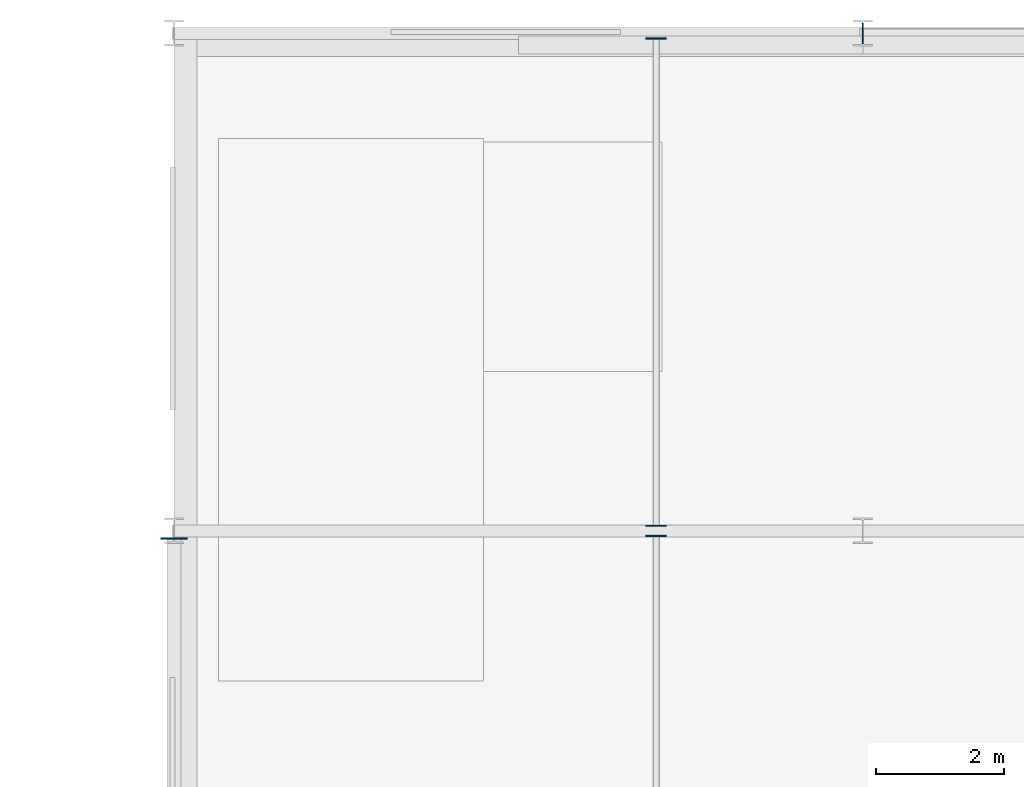
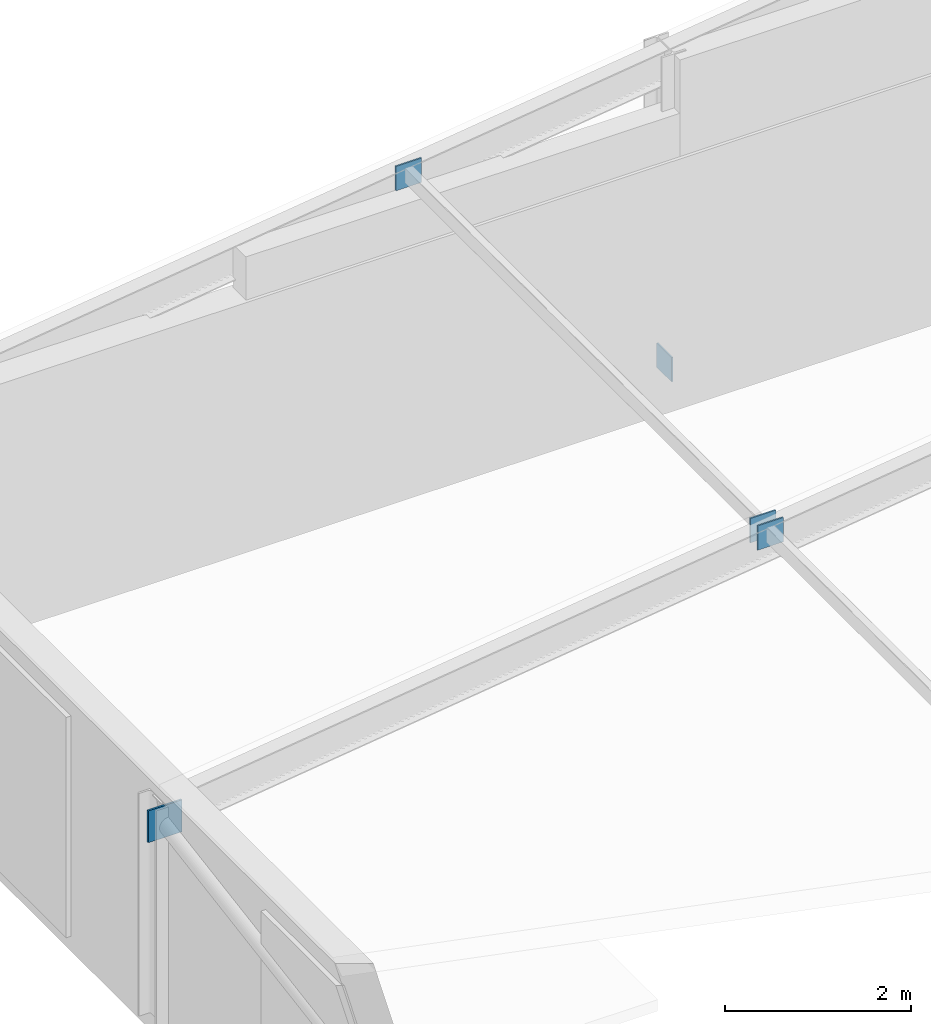
# One storey, part 18 of 27: 5 plates.
"""IFC4 building model written with IfcOpenShell, lengths in metres."""

import ifcopenshell
import ifcopenshell.guid

model = None  # the IFC model being written
_history = None  # IfcOwnerHistory: only IFC2X3 demands one
_inside = {}  # id of a spatial element -> (the spatial element, [elements in it])
_under = {}  # id of a project, library or spatial element -> (it, [spatial elements below it])
_declared = {}  # id of a project -> (the project, [libraries it declares])
_typed = {}  # id of a type object -> (the type object, [elements of that type])
_made_of = {}  # id of a material, layer set ... -> (it, [elements and type objects made of it])


def new_model(schema):
    """Start an empty IFC model of exactly this schema.

    Asked for "IFC4X3", IfcOpenShell would pick the latest addendum, in which some entities
    have other attributes; the version numbers below select the first issue.
    IFC2X3 requires an IfcOwnerHistory on every rooted entity: one is made here for all.
    """
    global model, _history
    if schema == "IFC4X3":
        model = ifcopenshell.file(schema_version=(4, 3, 0, 0))
    else:
        model = ifcopenshell.file(schema=schema)
    _inside.clear()
    _under.clear()
    _declared.clear()
    _typed.clear()
    _made_of.clear()
    _history = None
    if model.schema == "IFC2X3":
        org = make("IfcOrganization", Name="unknown")
        user = make(
            "IfcPersonAndOrganization",
            ThePerson=make("IfcPerson", FamilyName="unknown"),
            TheOrganization=org,
        )
        app = make(
            "IfcApplication",
            ApplicationDeveloper=org,
            Version="unknown",
            ApplicationFullName="unknown",
            ApplicationIdentifier="unknown",
        )
        _history = make(
            "IfcOwnerHistory",
            OwningUser=user,
            OwningApplication=app,
            ChangeAction="ADDED",
            CreationDate=0,
        )
    return model


def make(cls, **values):
    """One entity of the class cls with the attributes given. An attribute that is None is left unset."""
    return model.create_entity(
        cls, **{name: value for name, value in values.items() if value is not None}
    )


def rooted(cls, **values):
    """An entity with a GlobalId (a new one), such as an element, a storey or a relation."""
    return make(cls, GlobalId=ifcopenshell.guid.new(), OwnerHistory=_history, **values)


def si_unit(unit_type, name, prefix=None):
    """IfcSIUnit, for example si_unit("LENGTHUNIT", "METRE", prefix="MILLI")."""
    return make("IfcSIUnit", UnitType=unit_type, Prefix=prefix, Name=name)


def assignment(units):
    """IfcUnitAssignment: the units of a project."""
    return None if units is None else make("IfcUnitAssignment", Units=units)


def point(xyz):
    """IfcCartesianPoint."""
    return None if xyz is None else make("IfcCartesianPoint", Coordinates=xyz)


def direction(xyz):
    """IfcDirection."""
    return None if xyz is None else make("IfcDirection", DirectionRatios=xyz)


def frame(location, z_axis=None, x_axis=None):
    """IfcAxis2Placement3D, a coordinate frame: its origin and axes. An axis left out is left unset."""
    return make(
        "IfcAxis2Placement3D",
        Location=point(location),
        Axis=direction(z_axis),
        RefDirection=direction(x_axis),
    )


def frame_2d(location, x_axis=None):
    """IfcAxis2Placement2D, a coordinate frame in the plane: its origin and x axis."""
    return make(
        "IfcAxis2Placement2D", Location=point(location), RefDirection=direction(x_axis)
    )


def origin():
    """The frame at (0, 0, 0) with its axes left unset."""
    return frame((0.0, 0.0, 0.0))


def origin_2d():
    """The frame at (0, 0) in the plane with its x axis left unset."""
    return frame_2d((0.0, 0.0))


def place(relative_to, where):
    """IfcLocalPlacement: puts the frame where relative to a parent placement (None: the world)."""
    return make(
        "IfcLocalPlacement", PlacementRelTo=relative_to, RelativePlacement=where
    )


def context(
    kind, dimensions, precision=None, world=None, true_north=None, identifier=None
):
    """IfcGeometricRepresentationContext, for example the 3D "Model" context."""
    return make(
        "IfcGeometricRepresentationContext",
        ContextIdentifier=identifier,
        ContextType=kind,
        CoordinateSpaceDimension=dimensions,
        Precision=precision,
        WorldCoordinateSystem=world,
        TrueNorth=true_north,
    )


def subcontext(parent, identifier, kind, view, scale=None):
    """IfcGeometricRepresentationSubContext, for example "Body" below "Model"."""
    return make(
        "IfcGeometricRepresentationSubContext",
        ContextIdentifier=identifier,
        ContextType=kind,
        ParentContext=parent,
        TargetScale=scale,
        TargetView=view,
    )


def project(units=None, contexts=None):
    """IfcProject with its units and contexts."""
    return rooted(
        "IfcProject",
        Name="project",
        RepresentationContexts=contexts,
        UnitsInContext=assignment(units),
    )


def spatial(cls, under=None, at=None, **own):
    """A site, building, storey or space (cls), placed at a placement, below another one or the project."""
    s = rooted(cls, ObjectPlacement=at, **own)
    if under is not None:
        _under.setdefault(under.id(), (under, []))[1].append(s)
    return s


def profile(cls, at=None, kind="AREA", **sizes):
    """A parametric profile (cls). Its sizes go by their IFC names, for example OverallWidth=200.0."""
    return make(cls, ProfileType=kind, Position=at, **sizes)


def rectangle(**sizes):
    """IfcRectangleProfileDef."""
    return profile("IfcRectangleProfileDef", **sizes)


def extrude(swept, where, along, depth):
    """IfcExtrudedAreaSolid: the profile swept, set in the frame where, extruded along a direction by depth."""
    return make(
        "IfcExtrudedAreaSolid",
        SweptArea=swept,
        Position=where,
        ExtrudedDirection=direction(along),
        Depth=depth,
    )


def shape(context_of_items, identifier, shape_type, items):
    """IfcShapeRepresentation: the items that make up one representation, for example the "Body"."""
    return make(
        "IfcShapeRepresentation",
        ContextOfItems=context_of_items,
        RepresentationIdentifier=identifier,
        RepresentationType=shape_type,
        Items=items,
    )


def material(Name=None, Category=None):
    """IfcMaterial."""
    return make("IfcMaterial", Name=Name, Category=Category)


def layer(
    of_material, thickness, ventilated=None, Name=None, Category=None, Priority=None
):
    """IfcMaterialLayer: one layer of a wall or slab, of a material (None: an air gap)."""
    return make(
        "IfcMaterialLayer",
        Material=of_material,
        LayerThickness=thickness,
        IsVentilated=ventilated,
        Name=Name,
        Category=Category,
        Priority=Priority,
    )


def layer_set(layers, Name=None):
    """IfcMaterialLayerSet."""
    return make("IfcMaterialLayerSet", MaterialLayers=layers, LayerSetName=Name)


def made_of(thing, what):
    """Note that an element or type object is made of a material, layer set ...; save() writes the relation."""
    if what is not None:
        _made_of.setdefault(what.id(), (what, []))[1].append(thing)
    return thing


def type_object(cls, material=None, **own):
    """A type object (cls), such as IfcWallType, which elements share."""
    return made_of(rooted(cls, **own), material)


def element(
    cls,
    number,
    at=None,
    inside=None,
    cuts=None,
    type_object=None,
    material=None,
    context=None,
    identifier="Body",
    shape_type=None,
    held_by="IfcProductDefinitionShape",
    body=None,
    shapes=None,
    **own,
):
    """One element of the class cls, such as IfcWall. Its Tag is "e" and its number.

    at: its placement. inside: the storey or other place that contains it. cuts: it is an
    opening in that element (IfcRelVoidsElement). A single representation is given by context,
    identifier, shape_type and body (its items); several are given by shapes. held_by: the class
    of the entity that holds the representations. save() writes the other relations.
    """
    e = rooted(cls, Tag="e%d" % number, ObjectPlacement=at, **own)
    if body is not None:
        shapes = [shape(context, identifier, shape_type, body)]
    if shapes is not None:
        e.Representation = make(held_by, Representations=shapes)
    if inside is not None:
        _inside.setdefault(inside.id(), (inside, []))[1].append(e)
    if cuts is not None:
        rooted(
            "IfcRelVoidsElement", RelatingBuildingElement=cuts, RelatedOpeningElement=e
        )
    if type_object is not None:
        _typed.setdefault(type_object.id(), (type_object, []))[1].append(e)
    return made_of(e, material)


def aggregate(whole, parts):
    """IfcRelAggregates: a whole, such as a stair, and the parts it consists of."""
    return rooted("IfcRelAggregates", RelatingObject=whole, RelatedObjects=parts)


def save(model, path):
    """Write the relations noted so far, then the file.

    IfcRelAggregates (storeys below a building ...), IfcRelContainedInSpatialStructure (elements
    in a storey), IfcRelDefinesByType, IfcRelAssociatesMaterial and IfcRelDeclares: one each for
    every whole, place, type object, material and project.
    """
    for whole, parts in _under.values():
        aggregate(whole, parts)
    for where, things in _inside.values():
        rooted(
            "IfcRelContainedInSpatialStructure",
            RelatedElements=things,
            RelatingStructure=where,
        )
    for kind, things in _typed.values():
        rooted("IfcRelDefinesByType", RelatedObjects=things, RelatingType=kind)
    for what, things in _made_of.values():
        rooted("IfcRelAssociatesMaterial", RelatedObjects=things, RelatingMaterial=what)
    for by, libraries in _declared.values():
        rooted("IfcRelDeclares", RelatingContext=by, RelatedDefinitions=libraries)
    model.write(path)


model = new_model("IFC4")

# Units and contexts
model_context = context("Model", 3, precision=1e-05, world=origin(), true_north=direction((0.0, 1.0)))
body_context = subcontext(model_context, "Body", "Model", "MODEL_VIEW")
ifc_project = project(units=[si_unit("LENGTHUNIT", "METRE"), si_unit("AREAUNIT", "SQUARE_METRE"), si_unit("VOLUMEUNIT", "CUBIC_METRE"), si_unit("PLANEANGLEUNIT", "RADIAN"), si_unit("MASSUNIT", "GRAM", prefix="KILO")], contexts=[model_context])

# Site, building, storey
site_placement = place(None, origin())
site = spatial("IfcSite", under=ifc_project, at=site_placement, CompositionType="ELEMENT")
building_placement = place(site_placement, origin())
building = spatial("IfcBuilding", under=site, at=building_placement, Name="Tazoul Stagehouse", CompositionType="ELEMENT")
storey_placement = place(building_placement, frame((0.0, 0.0, 24.89990234375)))
storey = spatial("IfcBuildingStorey", under=building, at=storey_placement, Name="RF", CompositionType="ELEMENT", Elevation=24.89990234375)

# Plates
ifc_material = material(Name="Steel S355", Category="steel")
ifc_layer_1 = layer(ifc_material, 0.02001953125, Name="Steel S355")
ifc_layer_set_1 = layer_set([ifc_layer_1], Name="Steel S355")
plate_type_1 = type_object("IfcPlateType", Name="Steel Brace End-Cap Plate 320x320x20", PredefinedType="USERDEFINED", material=ifc_layer_set_1)
for number, where, z_axis, x_axis, name in (
    (1, (65.159912109375, 103.919921875, 3.64990234375), (0.0, 0.0, 1.0), (0.0, 1.0, 0.0), "RF Purlin End-Cap Plate GP-01 (PURL-V2-W1-1-2)"),
    (2, (65.159912109375, 104.080078125, 3.64990234375), (0.0, 0.0, 1.0), (0.0, 1.0, 0.0), "RF Purlin End-Cap Plate GP-01 (PURL-V2-W2-1-1)"),
    (3, (65.159912109375, 111.719970703125, 3.64990234375), (0.0, 0.0, 1.0), (0.0, 1.0, 0.0), "RF Purlin End-Cap Plate GP-01 (PURL-V2-W2-1-2)"),
):
    element("IfcPlate", number, at=place(storey_placement, frame(where, z_axis=z_axis, x_axis=x_axis)), inside=storey, type_object=plate_type_1, Name=name, ObjectType="GUSSET PLATE", PredefinedType="USERDEFINED", context=body_context, shape_type="SweptSolid", body=[
        extrude(rectangle(XDim=0.02001953125, YDim=0.320068359375, at=origin_2d()), origin(), (0.0, 0.0, 1.0), 0.320068359375),
    ])
ifc_layer_2 = layer(ifc_material, 0.02001953125, Name="Steel S355")
ifc_layer_set_2 = layer_set([ifc_layer_2], Name="Steel S355")
plate_type_2 = type_object("IfcPlateType", Name="Steel Brace End-Cap Plate 320x320x20 (Exterior)", PredefinedType="USERDEFINED", material=ifc_layer_set_2)
plate_1_placement = place(storey_placement, frame((68.39990234375, 111.800048828125, -0.009765625), z_axis=(0.0, 0.0, 1.0), x_axis=(1.0, 0.0, 0.0)))
element("IfcPlate", 4, at=plate_1_placement, inside=storey, type_object=plate_type_2, Name="RF Gusset End-Cap Plate GP-01E (BR-FT-RF-N1-1)", ObjectType="GUSSET PLATE", PredefinedType="USERDEFINED", context=body_context, shape_type="SweptSolid", body=[
    extrude(rectangle(XDim=0.02001953125, YDim=0.320068359375, at=origin_2d()), origin(), (0.0, 0.0, 1.0), 0.320068359375),
])
ifc_layer_3 = layer(ifc_material, 0.02392578125, Name="Steel S355")
ifc_layer_set_3 = layer_set([ifc_layer_3], Name="Steel S355")
plate_type_3 = type_object("IfcPlateType", Name="Steel Gusset Node Plate 420x420x24 (Exterior)", PredefinedType="USERDEFINED", material=ifc_layer_set_3)
plate_2_placement = place(storey_placement, frame((57.60009765625, 103.8798828125, 2.490234375), z_axis=(0.0, 0.0, 1.0), x_axis=(0.0, 1.0, 0.0)))
element("IfcPlate", 5, at=plate_2_placement, inside=storey, type_object=plate_type_3, Name="RF Gusset End-Cap Plate GP-02E (BR-FT-RF-W1-2)", ObjectType="GUSSET PLATE", PredefinedType="USERDEFINED", context=body_context, shape_type="SweptSolid", body=[
    extrude(rectangle(XDim=0.02392578125, YDim=0.419921875, at=origin_2d()), origin(), (0.0, 0.0, 1.0), 0.419921875),
])

save(model, "model.ifc")
